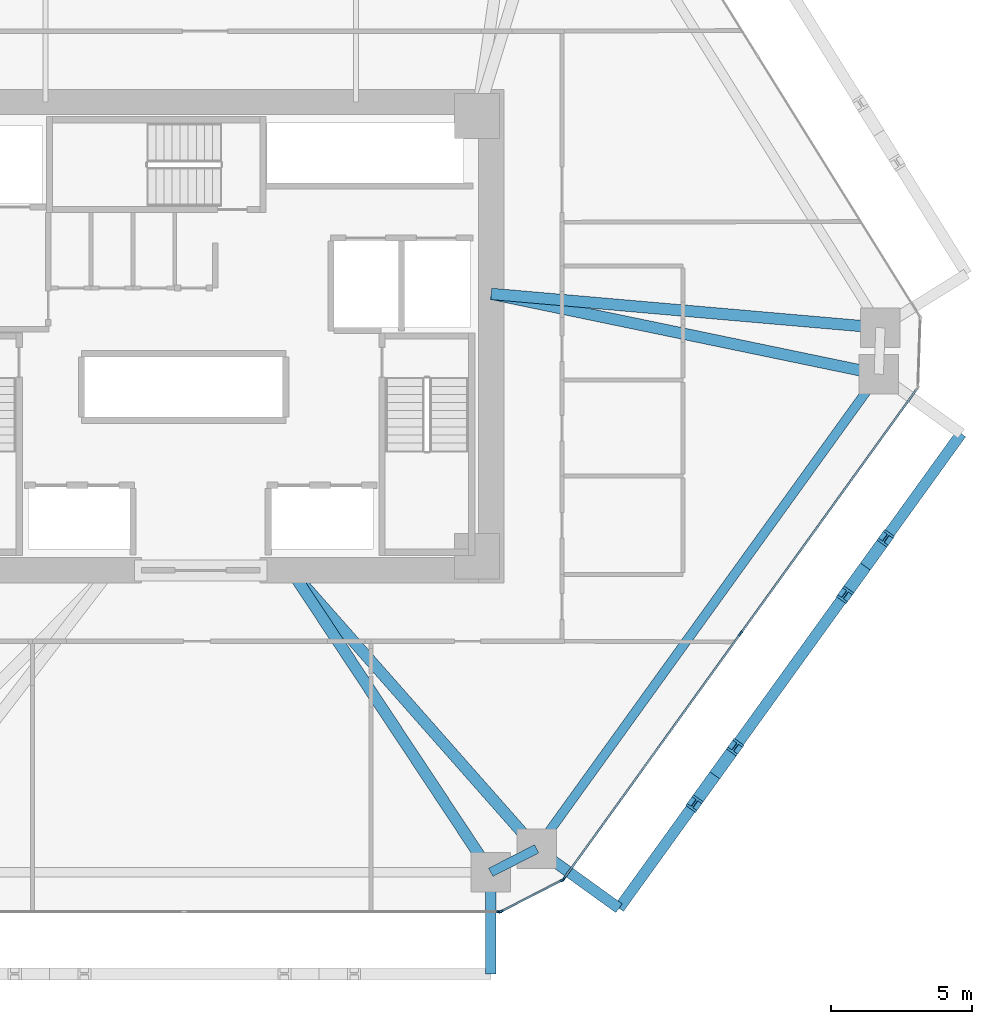
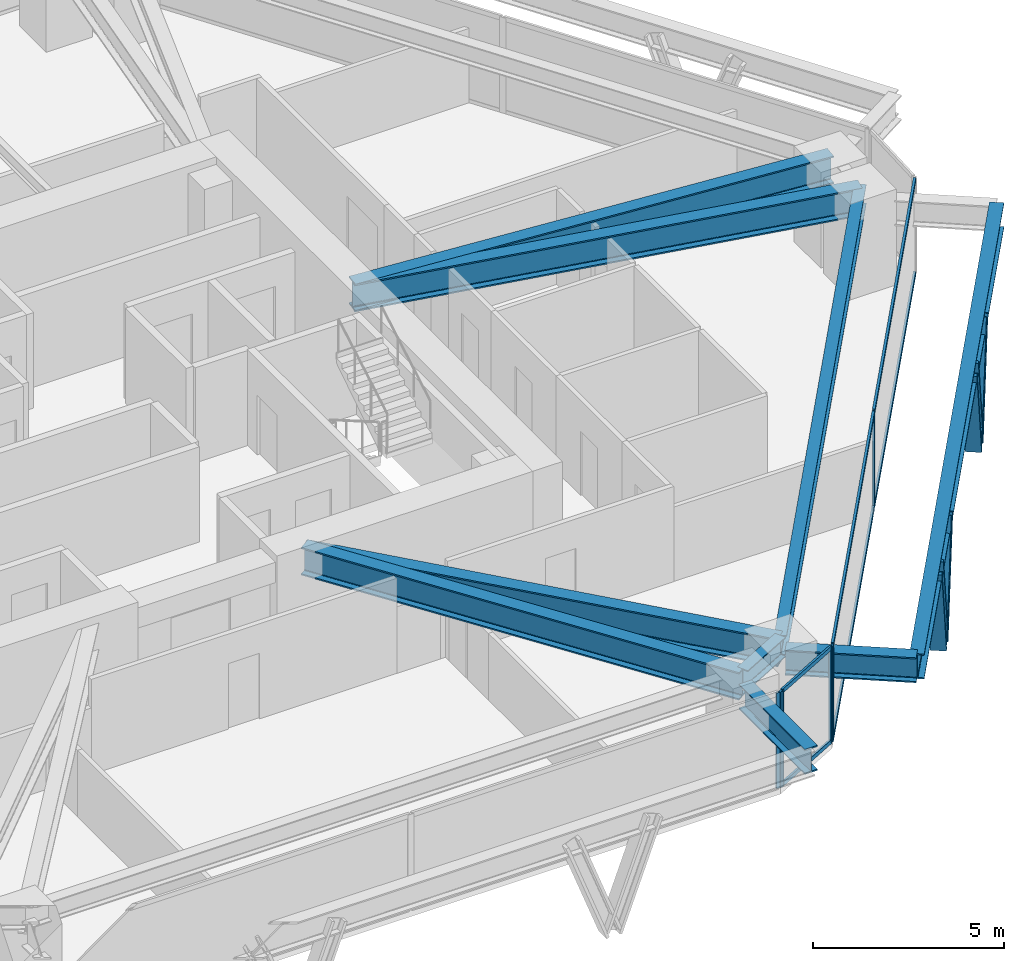
# One storey, part 5 of 14: 15 members, 9 beams, 3 elements without a shape of their own.
"""IFC4 building model written with IfcOpenShell, lengths in metres."""

from ifc_helpers import new_model, si_unit, direction, frame, origin, origin_2d, place, context, subcontext, project, spatial, rectangle, i_section, extrude, source, transform, mapped, material, layer, layer_set, material_profile, profile_set, type_object, type_shapes, element, aggregate, save


model = new_model("IFC4")

# Units and contexts
model_context = context("Model", 3, precision=1e-05, world=origin(), true_north=direction((0.0, 1.0)))
body_context = subcontext(model_context, "Body", "Model", "MODEL_VIEW")
ifc_project = project(units=[si_unit("LENGTHUNIT", "METRE"), si_unit("AREAUNIT", "SQUARE_METRE"), si_unit("VOLUMEUNIT", "CUBIC_METRE"), si_unit("PLANEANGLEUNIT", "RADIAN"), si_unit("MASSUNIT", "GRAM", prefix="KILO")], contexts=[model_context])

# Site, building, storey
site_placement = place(None, origin())
site = spatial("IfcSite", under=ifc_project, at=site_placement, CompositionType="ELEMENT")
building_placement = place(site_placement, origin())
building = spatial("IfcBuilding", under=site, at=building_placement, Name="Durnholm Broadcast Tower", CompositionType="ELEMENT")
storey_placement = place(building_placement, frame((0.0, 0.0, 68.699951171875)))
storey = spatial("IfcBuildingStorey", under=building, at=storey_placement, Name="L17", CompositionType="ELEMENT", Elevation=68.699951171875)

# Beams
ifc_material_1 = material(Name="Steel ASTM A992 Grade 50", Category="steel")
ifc_material_profile_1 = material_profile(ifc_material_1, i_section(OverallWidth=0.3291015625, OverallDepth=0.635009765625, WebThickness=0.017822265625, FlangeThickness=0.031005859375, FilletRadius=0.02783203125, at=origin_2d()), Name="W24X162")
ifc_profile_set_1 = profile_set([ifc_material_profile_1], Name="Steel ASTM A992 Grade 50")
beam_type_1 = type_object("IfcBeamType", Name="STL-SP-W24X162", PredefinedType="SPANDREL", material=ifc_profile_set_1)
shared_shape_1 = source(origin(), body_context, "Body", "SweptSolid", [
    extrude(i_section(OverallWidth=0.3291015625, OverallDepth=0.635009765625, WebThickness=0.017822265625, FlangeThickness=0.031005859375, FilletRadius=0.02783203125, at=origin_2d()), origin(), (0.0, 0.0, 1.0), 20.737060546875),
])
beam_1_placement = place(storey_placement, frame((24.034912109375, -1.347412109375, 2.7275390625), z_axis=(-0.584821933191, -0.811161701795, 0.0), x_axis=(0.811161701795, -0.584821933191, 0.0)))
element("IfcBeam", 1, at=beam_1_placement, inside=storey, type_object=beam_type_1, Name="L17 perimeter spandrel girder 09", PredefinedType="SPANDREL", context=body_context, shape_type="MappedRepresentation", body=[
    mapped(shared_shape_1, transform((0.0, 0.0, 0.0), x_axis=(1.0, 0.0, 0.0), y_axis=(0.0, 1.0, 0.0), z_axis=(0.0, 0.0, 1.0), scale=1.0)),
])
shared_shape_2 = source(origin(), body_context, "Body", "SweptSolid", [
    extrude(i_section(OverallWidth=0.3291015625, OverallDepth=0.635009765625, WebThickness=0.017822265625, FlangeThickness=0.031005859375, FilletRadius=0.02783203125, at=origin_2d()), origin(), (0.0, 0.0, 1.0), 1.8251953125),
])
type_shapes(beam_type_1, [shared_shape_1, shared_shape_2])
beam_2_placement = place(storey_placement, frame((11.907470703125, -18.16845703125, 2.7275390625), z_axis=(-0.890187609501, -0.455594139438, 0.0), x_axis=(0.455594139438, -0.890187609501, 0.0)))
element("IfcBeam", 2, at=beam_2_placement, inside=storey, type_object=beam_type_1, Name="L17 perimeter spandrel girder 10", PredefinedType="SPANDREL", context=body_context, shape_type="MappedRepresentation", body=[
    mapped(shared_shape_2, transform((0.0, 0.0, 0.0), x_axis=(1.0, 0.0, 0.0), y_axis=(0.0, 1.0, 0.0), z_axis=(0.0, 0.0, 1.0), scale=1.0)),
])
ifc_material_profile_2 = material_profile(ifc_material_1, i_section(OverallWidth=0.404052734375, OverallDepth=0.885009765625, WebThickness=0.0244140625, FlangeThickness=0.0439453125, FilletRadius=0.03564453125, at=origin_2d()), Name="W33X291")
ifc_profile_set_2 = profile_set([ifc_material_profile_2], Name="Steel ASTM A992 Grade 50")
beam_type_2 = type_object("IfcBeamType", Name="STL-GR-W33X291", PredefinedType="USERDEFINED", material=ifc_profile_set_2)
shared_shape_3 = source(origin(), body_context, "Body", "SweptSolid", [
    extrude(i_section(OverallWidth=0.404052734375, OverallDepth=0.885009765625, WebThickness=0.0244140625, FlangeThickness=0.0439453125, FilletRadius=0.03564453125, at=origin_2d()), origin(), (0.0, 0.0, 1.0), 13.843017578125),
])
beam_3_placement = place(storey_placement, frame((10.300048828125, 1.5, 2.6025390625), z_axis=(0.996234364864, -0.086701154915, 0.0), x_axis=(0.086701154915, 0.996234364864, 0.0)))
element("IfcBeam", 3, at=beam_3_placement, inside=storey, type_object=beam_type_2, Name="L17 radial primary floor girder 08", ObjectType="GIRDER", PredefinedType="USERDEFINED", context=body_context, shape_type="MappedRepresentation", body=[
    mapped(shared_shape_3, transform((0.0, 0.0, 0.0), x_axis=(1.0, 0.0, 0.0), y_axis=(0.0, 1.0, 0.0), z_axis=(0.0, 0.0, 1.0), scale=1.0)),
])
shared_shape_4 = source(origin(), body_context, "Body", "SweptSolid", [
    extrude(i_section(OverallWidth=0.404052734375, OverallDepth=0.885009765625, WebThickness=0.0244140625, FlangeThickness=0.0439453125, FilletRadius=0.03564453125, at=origin_2d()), origin(), (0.0, 0.0, 1.0), 14.02685546875),
])
beam_4_placement = place(storey_placement, frame((10.300048828125, 1.5, 2.6025390625), z_axis=(0.979179487914, -0.202996380382, 0.0), x_axis=(0.202996380382, 0.979179487914, 0.0)))
element("IfcBeam", 4, at=beam_4_placement, inside=storey, type_object=beam_type_2, Name="L17 radial primary floor girder 09", ObjectType="GIRDER", PredefinedType="USERDEFINED", context=body_context, shape_type="MappedRepresentation", body=[
    mapped(shared_shape_4, transform((0.0, 0.0, 0.0), x_axis=(1.0, 0.0, 0.0), y_axis=(0.0, 1.0, 0.0), z_axis=(0.0, 0.0, 1.0), scale=1.0)),
])
shared_shape_5 = source(origin(), body_context, "Body", "SweptSolid", [
    extrude(i_section(OverallWidth=0.404052734375, OverallDepth=0.885009765625, WebThickness=0.0244140625, FlangeThickness=0.0439453125, FilletRadius=0.03564453125, at=origin_2d()), origin(), (0.0, 0.0, 1.0), 13.160888671875),
])
beam_5_placement = place(storey_placement, frame((3.199951171875, -8.300048828125, 2.6025390625), z_axis=(0.661625931866, -0.749834065832, 0.0), x_axis=(0.749834065832, 0.661625931866, 0.0)))
element("IfcBeam", 5, at=beam_5_placement, inside=storey, type_object=beam_type_2, Name="L17 radial primary floor girder 10", ObjectType="GIRDER", PredefinedType="USERDEFINED", context=body_context, shape_type="MappedRepresentation", body=[
    mapped(shared_shape_5, transform((0.0, 0.0, 0.0), x_axis=(1.0, 0.0, 0.0), y_axis=(0.0, 1.0, 0.0), z_axis=(0.0, 0.0, 1.0), scale=1.0)),
])
shared_shape_6 = source(origin(), body_context, "Body", "SweptSolid", [
    extrude(i_section(OverallWidth=0.404052734375, OverallDepth=0.885009765625, WebThickness=0.0244140625, FlangeThickness=0.0439453125, FilletRadius=0.03564453125, at=origin_2d()), origin(), (0.0, 0.0, 1.0), 12.831787109375),
])
type_shapes(beam_type_2, [shared_shape_3, shared_shape_4, shared_shape_5, shared_shape_6])
beam_6_placement = place(storey_placement, frame((3.199951171875, -8.300048828125, 2.6025390625), z_axis=(0.551970609544, -0.833863565699, 0.0), x_axis=(0.833863565699, 0.551970609544, 0.0)))
element("IfcBeam", 6, at=beam_6_placement, inside=storey, type_object=beam_type_2, Name="L17 radial primary floor girder 11", ObjectType="GIRDER", PredefinedType="USERDEFINED", context=body_context, shape_type="MappedRepresentation", body=[
    mapped(shared_shape_6, transform((0.0, 0.0, 0.0), x_axis=(1.0, 0.0, 0.0), y_axis=(0.0, 1.0, 0.0), z_axis=(0.0, 0.0, 1.0), scale=1.0)),
])
ifc_material_profile_3 = material_profile(ifc_material_1, i_section(OverallWidth=0.385009765625, OverallDepth=0.802978515625, WebThickness=0.023681640625, FlangeThickness=0.0419921875, FilletRadius=0.032958984375, at=origin_2d()), Name="W30X261")
ifc_profile_set_3 = profile_set([ifc_material_profile_3], Name="Steel ASTM A992 Grade 50")
beam_type_3 = type_object("IfcBeamType", Name="BM-EXO-TIE", PredefinedType="USERDEFINED", material=ifc_profile_set_3)
shared_shape_7 = source(origin(), body_context, "Body", "SweptSolid", [
    extrude(i_section(OverallWidth=0.385009765625, OverallDepth=0.802978515625, WebThickness=0.023681640625, FlangeThickness=0.0419921875, FilletRadius=0.032958984375, at=origin_2d()), origin(), (0.0, 0.0, 1.0), 3.4560546875),
])
for number, where, z_axis, x_axis, name in (
    (7, (10.28271484375, -19.14404296875, 2.30859375), (0.0, -1.0, 0.0), (1.0, 0.0, 0.0), "L17 exoskeleton stand-off tie bracket F1.2"),
    (8, (12.024169921875, -18.252685546875, 2.30859375), (0.811157675106, -0.584827518262, 0.0), (0.584827518262, 0.811157675106, 0.0), "L17 exoskeleton stand-off tie bracket F2.1"),
):
    element("IfcBeam", number, at=place(storey_placement, frame(where, z_axis=z_axis, x_axis=x_axis)), inside=storey, type_object=beam_type_3, Name=name, ObjectType="GIRDER", PredefinedType="USERDEFINED", context=body_context, shape_type="MappedRepresentation", body=[
        mapped(shared_shape_7, transform((0.0, 0.0, 0.0), x_axis=(1.0, 0.0, 0.0), y_axis=(0.0, 1.0, 0.0), z_axis=(0.0, 0.0, 1.0), scale=1.0)),
    ])
shared_shape_8 = source(origin(), body_context, "Body", "SweptSolid", [
    extrude(i_section(OverallWidth=0.385009765625, OverallDepth=0.802978515625, WebThickness=0.023681640625, FlangeThickness=0.0419921875, FilletRadius=0.032958984375, at=origin_2d()), origin(), (0.0, 0.0, 1.0), 20.737060546875),
])
type_shapes(beam_type_3, [shared_shape_7, shared_shape_8])
beam_7_placement = place(storey_placement, frame((14.82763671875, -20.27392578125, 2.30859375), z_axis=(0.5848163482, 0.811165728368, 0.0), x_axis=(-0.811165728368, 0.5848163482, 0.0)))
element("IfcBeam", 9, at=beam_7_placement, inside=storey, type_object=beam_type_3, Name="L17 exoskeleton collector spandrel F2", PredefinedType="SPANDREL", context=body_context, shape_type="MappedRepresentation", body=[
    mapped(shared_shape_8, transform((0.0, 0.0, 0.0), x_axis=(1.0, 0.0, 0.0), y_axis=(0.0, 1.0, 0.0), z_axis=(0.0, 0.0, 1.0), scale=1.0)),
])

# Members
ifc_material_2 = material(Name="Steel ASTM A913 Grade 65", Category="steel")
ifc_material_profile_4 = material_profile(ifc_material_2, i_section(OverallWidth=0.43212890625, OverallDepth=0.497802734375, WebThickness=0.0556640625, FlangeThickness=0.0888671875, FilletRadius=0.030517578125, at=origin_2d()), Name="W14X500")
ifc_profile_set_4 = profile_set([ifc_material_profile_4], Name="Steel ASTM A913 Grade 65")
member_type_1 = type_object("IfcMemberType", Name="STL-DG-W14X500", PredefinedType="BRACE", material=ifc_profile_set_4)
shared_shape_9 = source(origin(), body_context, "Body", "SweptSolid", [
    extrude(i_section(OverallWidth=0.43212890625, OverallDepth=0.497802734375, WebThickness=0.0556640625, FlangeThickness=0.0888671875, FilletRadius=0.030517578125, at=origin_2d()), origin(), (0.0, 0.0, 1.0), 3.523193359375),
])
type_shapes(member_type_1, [shared_shape_9])
for number, where, z_axis, x_axis, name in (
    (10, (18.223388671875, -15.56396484375, -0.991455078125), (-0.204839138341, -0.284044529113, 0.93667477434), (0.81109123444, -0.58491966065, 0.0), "L17 stand-off diagrid brace F2.D1.1"),
    (11, (18.223388671875, -15.56396484375, -0.991455078125), (0.20477274847, 0.284048560399, 0.936688068046), (-0.811185111535, 0.584789461963, 0.0), "L17 stand-off diagrid brace F2.D1.2"),
    (12, (23.5595703125, -8.16259765625, -0.991455078125), (-0.204839138341, -0.284044529113, 0.93667477434), (0.81109123444, -0.58491966065, 0.0), "L17 stand-off diagrid brace F2.D2.1"),
    (13, (23.5595703125, -8.16259765625, -0.991455078125), (0.20477274847, 0.284048560399, 0.936688068046), (-0.811185111535, 0.584789461963, 0.0), "L17 stand-off diagrid brace F2.D2.2"),
):
    element("IfcMember", number, at=place(storey_placement, frame(where, z_axis=z_axis, x_axis=x_axis)), inside=storey, type_object=member_type_1, Name=name, PredefinedType="BRACE", context=body_context, shape_type="MappedRepresentation", body=[
        mapped(shared_shape_9, transform((0.0, 0.0, 0.0), x_axis=(1.0, 0.0, 0.0), y_axis=(0.0, 1.0, 0.0), z_axis=(0.0, 0.0, 1.0), scale=1.0)),
    ])

# Curtain wall, members
ifc_material_3 = material(Name="Aluminium and Solar Control IGU", Category="aluminium")
ifc_layer_1 = layer(ifc_material_3, 0.1650390625)
ifc_layer_set_1 = layer_set([ifc_layer_1], Name="Aluminium and Solar Control IGU")
curtain_wall_type_1 = type_object("IfcCurtainWallType", Name="CW-SYS-5", PredefinedType="NOTDEFINED", material=ifc_layer_set_1)
curtain_wall_1_placement = place(storey_placement, origin())
curtain_wall_1 = element("IfcCurtainWall", 14, at=curtain_wall_1_placement, inside=storey, type_object=curtain_wall_type_1, Name="L17 curtain wall CW-CORNER CW-L17-CRN-09", PredefinedType="NOTDEFINED")
ifc_material_4 = material(Name="Aluminium 6063-T6", Category="aluminium")
ifc_material_profile_5 = material_profile(ifc_material_4, rectangle(XDim=0.06494140625, YDim=0.1650390625, at=origin_2d()), Name="CWM65X165")
ifc_profile_set_5 = profile_set([ifc_material_profile_5], Name="Aluminium 6063-T6")
member_type_2 = type_object("IfcMemberType", Name="CW-SYS-5-MUL", PredefinedType="MULLION", material=ifc_profile_set_5)
shared_shape_10 = source(origin(), body_context, "Body", "SweptSolid", [
    extrude(rectangle(XDim=0.06494140625, YDim=0.1650390625, at=origin_2d()), origin(), (0.0, 0.0, 1.0), 3.06005859375),
])
type_shapes(member_type_2, [shared_shape_10])
member_1_placement = place(storey_placement, frame((12.816650390625, -19.27587890625, 0.0), z_axis=(0.0, 0.0, 1.0), x_axis=(0.455593758406, -0.890187804512, 0.0)))
member_1 = element("IfcMember", 15, at=member_1_placement, type_object=member_type_2, Name="CW-CORNER mullion 1", PredefinedType="MULLION", context=body_context, shape_type="MappedRepresentation", body=[
    mapped(shared_shape_10, transform((0.0, 0.0, 0.0), x_axis=(1.0, 0.0, 0.0), y_axis=(0.0, 1.0, 0.0), z_axis=(0.0, 0.0, 1.0), scale=1.0)),
])
member_2_placement = place(storey_placement, frame((10.649169921875, -20.38525390625, 0.0), z_axis=(0.0, 0.0, 1.0), x_axis=(0.455593758406, -0.890187804512, 0.0)))
member_2 = element("IfcMember", 16, at=member_2_placement, type_object=member_type_2, Name="CW-CORNER mullion 2", PredefinedType="MULLION", context=body_context, shape_type="MappedRepresentation", body=[
    mapped(shared_shape_10, transform((0.0, 0.0, 0.0), x_axis=(1.0, 0.0, 0.0), y_axis=(0.0, 1.0, 0.0), z_axis=(0.0, 0.0, 1.0), scale=1.0)),
])
ifc_material_profile_6 = material_profile(ifc_material_4, rectangle(XDim=0.06494140625, YDim=0.1298828125, at=origin_2d()), Name="CWT65X130")
ifc_profile_set_6 = profile_set([ifc_material_profile_6], Name="Aluminium 6063-T6")
member_type_3 = type_object("IfcMemberType", Name="CW-SYS-5-TRN", PredefinedType="USERDEFINED", material=ifc_profile_set_6)
shared_shape_11 = source(origin(), body_context, "Body", "SweptSolid", [
    extrude(rectangle(XDim=0.06494140625, YDim=0.1298828125, at=origin_2d()), origin(), (0.0, 0.0, 1.0), 2.3701171875),
])
type_shapes(member_type_3, [shared_shape_11])
member_3_placement = place(storey_placement, frame((12.787841796875, -19.29052734375, 0.032470703125), z_axis=(-0.890185016934, -0.455599205033, 0.0), x_axis=(0.455599205033, -0.890185016934, 0.0)))
member_3 = element("IfcMember", 17, at=member_3_placement, type_object=member_type_3, Name="CW-CORNER transom 1.1", ObjectType="TRANSOM", PredefinedType="USERDEFINED", context=body_context, shape_type="MappedRepresentation", body=[
    mapped(shared_shape_11, transform((0.0, 0.0, 0.0), x_axis=(1.0, 0.0, 0.0), y_axis=(0.0, 1.0, 0.0), z_axis=(0.0, 0.0, 1.0), scale=1.0)),
])
member_4_placement = place(storey_placement, frame((12.787841796875, -19.29052734375, 3.027587890625), z_axis=(-0.890185016934, -0.455599205033, 0.0), x_axis=(0.455599205033, -0.890185016934, 0.0)))
member_4 = element("IfcMember", 18, at=member_4_placement, type_object=member_type_3, Name="CW-CORNER transom 1.2", ObjectType="TRANSOM", PredefinedType="USERDEFINED", context=body_context, shape_type="MappedRepresentation", body=[
    mapped(shared_shape_11, transform((0.0, 0.0, 0.0), x_axis=(1.0, 0.0, 0.0), y_axis=(0.0, 1.0, 0.0), z_axis=(0.0, 0.0, 1.0), scale=1.0)),
])
aggregate(curtain_wall_1, [member_1, member_2, member_3, member_4])

ifc_layer_2 = layer(ifc_material_3, 0.18994140625)
ifc_layer_set_2 = layer_set([ifc_layer_2], Name="Aluminium and Solar Control IGU")
curtain_wall_type_2 = type_object("IfcCurtainWallType", Name="CW-SYS-3", PredefinedType="NOTDEFINED", material=ifc_layer_set_2)
curtain_wall_2_placement = place(storey_placement, origin())
curtain_wall_2 = element("IfcCurtainWall", 19, at=curtain_wall_2_placement, inside=storey, type_object=curtain_wall_type_2, Name="L17 curtain wall CW-Z12-VIS CW-L17-F08", PredefinedType="NOTDEFINED")
ifc_material_profile_7 = material_profile(ifc_material_4, rectangle(XDim=0.070068359375, YDim=0.18994140625, at=origin_2d()), Name="CWM70X190")
ifc_profile_set_7 = profile_set([ifc_material_profile_7], Name="Aluminium 6063-T6")
member_type_4 = type_object("IfcMemberType", Name="CW-SYS-3-MUL", PredefinedType="MULLION", material=ifc_profile_set_7)
shared_shape_12 = source(origin(), body_context, "Body", "SweptSolid", [
    extrude(rectangle(XDim=0.070068359375, YDim=0.18994140625, at=origin_2d()), origin(), (0.0, 0.0, 1.0), 3.06005859375),
])
type_shapes(member_type_4, [shared_shape_12])
member_5_placement = place(storey_placement, frame((19.1328125, -10.540771484375, 0.0), z_axis=(0.0, 0.0, 1.0), x_axis=(0.81116057493, -0.584823496176, 0.0)))
member_5 = element("IfcMember", 20, at=member_5_placement, type_object=member_type_4, Name="CW-Z12-VIS mullion 2", PredefinedType="MULLION", context=body_context, shape_type="MappedRepresentation", body=[
    mapped(shared_shape_12, transform((0.0, 0.0, 0.0), x_axis=(1.0, 0.0, 0.0), y_axis=(0.0, 1.0, 0.0), z_axis=(0.0, 0.0, 1.0), scale=1.0)),
])
member_6_placement = place(storey_placement, frame((12.8662109375, -19.232666015625, 0.0), z_axis=(0.0, 0.0, 1.0), x_axis=(0.81116057493, -0.584823496176, 0.0)))
member_6 = element("IfcMember", 21, at=member_6_placement, type_object=member_type_4, Name="CW-Z12-VIS mullion 3", PredefinedType="MULLION", context=body_context, shape_type="MappedRepresentation", body=[
    mapped(shared_shape_12, transform((0.0, 0.0, 0.0), x_axis=(1.0, 0.0, 0.0), y_axis=(0.0, 1.0, 0.0), z_axis=(0.0, 0.0, 1.0), scale=1.0)),
])

# Curtain wall, member
curtain_wall_3_placement = place(storey_placement, origin())
curtain_wall_3 = element("IfcCurtainWall", 22, at=curtain_wall_3_placement, inside=storey, type_object=curtain_wall_type_2, Name="L17 curtain wall CW-Z12-VIS CW-L17-F10", PredefinedType="NOTDEFINED")
member_7_placement = place(storey_placement, frame((10.585205078125, -20.39990234375, 0.0), z_axis=(0.0, 0.0, 1.0), x_axis=(0.0, -1.0, 0.0)))
member_7 = element("IfcMember", 23, at=member_7_placement, type_object=member_type_4, Name="CW-Z12-VIS mullion 1", PredefinedType="MULLION", context=body_context, shape_type="MappedRepresentation", body=[
    mapped(shared_shape_12, transform((0.0, 0.0, 0.0), x_axis=(1.0, 0.0, 0.0), y_axis=(0.0, 1.0, 0.0), z_axis=(0.0, 0.0, 1.0), scale=1.0)),
])
aggregate(curtain_wall_3, [member_7])

# Member
ifc_material_profile_8 = material_profile(ifc_material_4, rectangle(XDim=0.070068359375, YDim=0.14990234375, at=origin_2d()), Name="CWT70X150")
ifc_profile_set_8 = profile_set([ifc_material_profile_8], Name="Aluminium 6063-T6")
member_type_5 = type_object("IfcMemberType", Name="CW-SYS-3-TRN", PredefinedType="USERDEFINED", material=ifc_profile_set_8)
shared_shape_13 = source(origin(), body_context, "Body", "SweptSolid", [
    extrude(rectangle(XDim=0.070068359375, YDim=0.14990234375, at=origin_2d()), origin(), (0.0, 0.0, 1.0), 10.6455078125),
])
member_8_placement = place(storey_placement, frame((25.37890625, -1.877197265625, 0.03515625), z_axis=(-0.584812103659, -0.811168788486, 0.0), x_axis=(0.811168788486, -0.584812103659, 0.0)))
member_8 = element("IfcMember", 24, at=member_8_placement, type_object=member_type_5, Name="CW-Z12-VIS transom 1.1", ObjectType="TRANSOM", PredefinedType="USERDEFINED", context=body_context, shape_type="MappedRepresentation", body=[
    mapped(shared_shape_13, transform((0.0, 0.0, 0.0), x_axis=(1.0, 0.0, 0.0), y_axis=(0.0, 1.0, 0.0), z_axis=(0.0, 0.0, 1.0), scale=1.0)),
])

member_9_placement = place(storey_placement, frame((25.37890625, -1.877197265625, 3.025146484375), z_axis=(-0.584812103659, -0.811168788486, 0.0), x_axis=(0.811168788486, -0.584812103659, 0.0)))
member_9 = element("IfcMember", 25, at=member_9_placement, type_object=member_type_5, Name="CW-Z12-VIS transom 1.2", ObjectType="TRANSOM", PredefinedType="USERDEFINED", context=body_context, shape_type="MappedRepresentation", body=[
    mapped(shared_shape_13, transform((0.0, 0.0, 0.0), x_axis=(1.0, 0.0, 0.0), y_axis=(0.0, 1.0, 0.0), z_axis=(0.0, 0.0, 1.0), scale=1.0)),
])

shared_shape_14 = source(origin(), body_context, "Body", "SweptSolid", [
    extrude(rectangle(XDim=0.070068359375, YDim=0.14990234375, at=origin_2d()), origin(), (0.0, 0.0, 1.0), 10.645263671875),
])
type_shapes(member_type_5, [shared_shape_13, shared_shape_14])
member_10_placement = place(storey_placement, frame((19.1123046875, -10.569091796875, 0.03515625), z_axis=(-0.584822983179, -0.811160944786, 0.0), x_axis=(0.811160944786, -0.584822983179, 0.0)))
member_10 = element("IfcMember", 26, at=member_10_placement, type_object=member_type_5, Name="CW-Z12-VIS transom 2.1", ObjectType="TRANSOM", PredefinedType="USERDEFINED", context=body_context, shape_type="MappedRepresentation", body=[
    mapped(shared_shape_14, transform((0.0, 0.0, 0.0), x_axis=(1.0, 0.0, 0.0), y_axis=(0.0, 1.0, 0.0), z_axis=(0.0, 0.0, 1.0), scale=1.0)),
])

member_11_placement = place(storey_placement, frame((19.1123046875, -10.569091796875, 3.025146484375), z_axis=(-0.584822983179, -0.811160944786, 0.0), x_axis=(0.811160944786, -0.584822983179, 0.0)))
member_11 = element("IfcMember", 27, at=member_11_placement, type_object=member_type_5, Name="CW-Z12-VIS transom 2.2", ObjectType="TRANSOM", PredefinedType="USERDEFINED", context=body_context, shape_type="MappedRepresentation", body=[
    mapped(shared_shape_14, transform((0.0, 0.0, 0.0), x_axis=(1.0, 0.0, 0.0), y_axis=(0.0, 1.0, 0.0), z_axis=(0.0, 0.0, 1.0), scale=1.0)),
])

aggregate(curtain_wall_2, [member_5, member_6, member_8, member_9, member_10, member_11])

save(model, "model.ifc")
